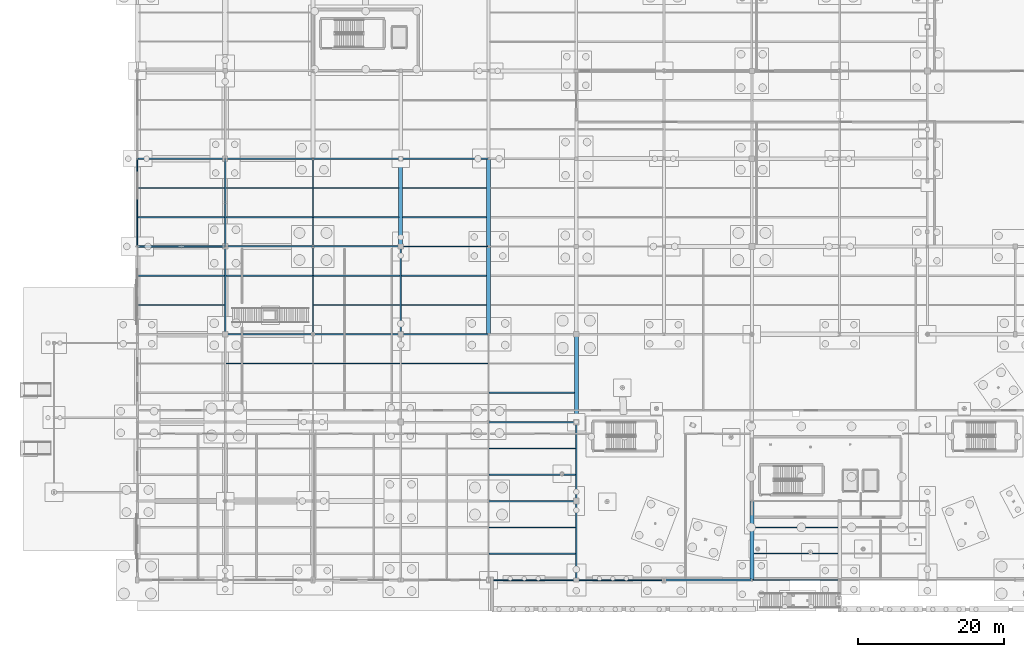
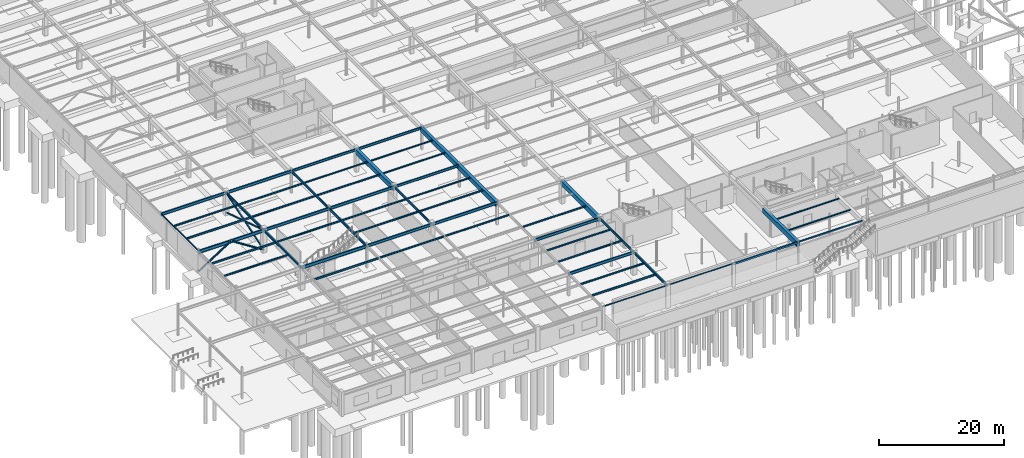
# One storey, part 79 of 136: 55 beams, 5 members.
"""IFC4 building model written with IfcOpenShell, lengths in metres."""

import ifcopenshell
import ifcopenshell.guid

model = None  # the IFC model being written
_history = None  # IfcOwnerHistory: only IFC2X3 demands one
_inside = {}  # id of a spatial element -> (the spatial element, [elements in it])
_under = {}  # id of a project, library or spatial element -> (it, [spatial elements below it])
_declared = {}  # id of a project -> (the project, [libraries it declares])
_typed = {}  # id of a type object -> (the type object, [elements of that type])
_made_of = {}  # id of a material, layer set ... -> (it, [elements and type objects made of it])


def new_model(schema):
    """Start an empty IFC model of exactly this schema.

    Asked for "IFC4X3", IfcOpenShell would pick the latest addendum, in which some entities
    have other attributes; the version numbers below select the first issue.
    IFC2X3 requires an IfcOwnerHistory on every rooted entity: one is made here for all.
    """
    global model, _history
    if schema == "IFC4X3":
        model = ifcopenshell.file(schema_version=(4, 3, 0, 0))
    else:
        model = ifcopenshell.file(schema=schema)
    _inside.clear()
    _under.clear()
    _declared.clear()
    _typed.clear()
    _made_of.clear()
    _history = None
    if model.schema == "IFC2X3":
        org = make("IfcOrganization", Name="unknown")
        user = make(
            "IfcPersonAndOrganization",
            ThePerson=make("IfcPerson", FamilyName="unknown"),
            TheOrganization=org,
        )
        app = make(
            "IfcApplication",
            ApplicationDeveloper=org,
            Version="unknown",
            ApplicationFullName="unknown",
            ApplicationIdentifier="unknown",
        )
        _history = make(
            "IfcOwnerHistory",
            OwningUser=user,
            OwningApplication=app,
            ChangeAction="ADDED",
            CreationDate=0,
        )
    return model


def make(cls, **values):
    """One entity of the class cls with the attributes given. An attribute that is None is left unset."""
    return model.create_entity(
        cls, **{name: value for name, value in values.items() if value is not None}
    )


def rooted(cls, **values):
    """An entity with a GlobalId (a new one), such as an element, a storey or a relation."""
    return make(cls, GlobalId=ifcopenshell.guid.new(), OwnerHistory=_history, **values)


def si_unit(unit_type, name, prefix=None):
    """IfcSIUnit, for example si_unit("LENGTHUNIT", "METRE", prefix="MILLI")."""
    return make("IfcSIUnit", UnitType=unit_type, Prefix=prefix, Name=name)


def assignment(units):
    """IfcUnitAssignment: the units of a project."""
    return None if units is None else make("IfcUnitAssignment", Units=units)


def point(xyz):
    """IfcCartesianPoint."""
    return None if xyz is None else make("IfcCartesianPoint", Coordinates=xyz)


def direction(xyz):
    """IfcDirection."""
    return None if xyz is None else make("IfcDirection", DirectionRatios=xyz)


def frame(location, z_axis=None, x_axis=None):
    """IfcAxis2Placement3D, a coordinate frame: its origin and axes. An axis left out is left unset."""
    return make(
        "IfcAxis2Placement3D",
        Location=point(location),
        Axis=direction(z_axis),
        RefDirection=direction(x_axis),
    )


def frame_2d(location, x_axis=None):
    """IfcAxis2Placement2D, a coordinate frame in the plane: its origin and x axis."""
    return make(
        "IfcAxis2Placement2D", Location=point(location), RefDirection=direction(x_axis)
    )


def origin():
    """The frame at (0, 0, 0) with its axes left unset."""
    return frame((0.0, 0.0, 0.0))


def origin_2d():
    """The frame at (0, 0) in the plane with its x axis left unset."""
    return frame_2d((0.0, 0.0))


def place(relative_to, where):
    """IfcLocalPlacement: puts the frame where relative to a parent placement (None: the world)."""
    return make(
        "IfcLocalPlacement", PlacementRelTo=relative_to, RelativePlacement=where
    )


def context(
    kind, dimensions, precision=None, world=None, true_north=None, identifier=None
):
    """IfcGeometricRepresentationContext, for example the 3D "Model" context."""
    return make(
        "IfcGeometricRepresentationContext",
        ContextIdentifier=identifier,
        ContextType=kind,
        CoordinateSpaceDimension=dimensions,
        Precision=precision,
        WorldCoordinateSystem=world,
        TrueNorth=true_north,
    )


def subcontext(parent, identifier, kind, view, scale=None):
    """IfcGeometricRepresentationSubContext, for example "Body" below "Model"."""
    return make(
        "IfcGeometricRepresentationSubContext",
        ContextIdentifier=identifier,
        ContextType=kind,
        ParentContext=parent,
        TargetScale=scale,
        TargetView=view,
    )


def project(units=None, contexts=None):
    """IfcProject with its units and contexts."""
    return rooted(
        "IfcProject",
        Name="project",
        RepresentationContexts=contexts,
        UnitsInContext=assignment(units),
    )


def spatial(cls, under=None, at=None, **own):
    """A site, building, storey or space (cls), placed at a placement, below another one or the project."""
    s = rooted(cls, ObjectPlacement=at, **own)
    if under is not None:
        _under.setdefault(under.id(), (under, []))[1].append(s)
    return s


def profile(cls, at=None, kind="AREA", **sizes):
    """A parametric profile (cls). Its sizes go by their IFC names, for example OverallWidth=200.0."""
    return make(cls, ProfileType=kind, Position=at, **sizes)


def rectangle(**sizes):
    """IfcRectangleProfileDef."""
    return profile("IfcRectangleProfileDef", **sizes)


def hollow_rectangle(**sizes):
    """IfcRectangleHollowProfileDef."""
    return profile("IfcRectangleHollowProfileDef", **sizes)


def hollow_circle(**sizes):
    """IfcCircleHollowProfileDef."""
    return profile("IfcCircleHollowProfileDef", **sizes)


def i_section(**sizes):
    """IfcIShapeProfileDef."""
    return profile("IfcIShapeProfileDef", **sizes)


def extrude(swept, where, along, depth):
    """IfcExtrudedAreaSolid: the profile swept, set in the frame where, extruded along a direction by depth."""
    return make(
        "IfcExtrudedAreaSolid",
        SweptArea=swept,
        Position=where,
        ExtrudedDirection=direction(along),
        Depth=depth,
    )


def shape(context_of_items, identifier, shape_type, items):
    """IfcShapeRepresentation: the items that make up one representation, for example the "Body"."""
    return make(
        "IfcShapeRepresentation",
        ContextOfItems=context_of_items,
        RepresentationIdentifier=identifier,
        RepresentationType=shape_type,
        Items=items,
    )


def material(Name=None, Category=None):
    """IfcMaterial."""
    return make("IfcMaterial", Name=Name, Category=Category)


def material_profile(
    of_material, cross_section, Name=None, Category=None, Priority=None
):
    """IfcMaterialProfile: a cross section and its material."""
    return make(
        "IfcMaterialProfile",
        Name=Name,
        Material=of_material,
        Profile=cross_section,
        Priority=Priority,
        Category=Category,
    )


def profile_set(profiles, Name=None, composite=None):
    """IfcMaterialProfileSet."""
    return make(
        "IfcMaterialProfileSet",
        Name=Name,
        MaterialProfiles=profiles,
        CompositeProfile=composite,
    )


def made_of(thing, what):
    """Note that an element or type object is made of a material, layer set ...; save() writes the relation."""
    if what is not None:
        _made_of.setdefault(what.id(), (what, []))[1].append(thing)
    return thing


def type_object(cls, material=None, **own):
    """A type object (cls), such as IfcWallType, which elements share."""
    return made_of(rooted(cls, **own), material)


def element(
    cls,
    number,
    at=None,
    inside=None,
    cuts=None,
    type_object=None,
    material=None,
    context=None,
    identifier="Body",
    shape_type=None,
    held_by="IfcProductDefinitionShape",
    body=None,
    shapes=None,
    **own,
):
    """One element of the class cls, such as IfcWall. Its Tag is "e" and its number.

    at: its placement. inside: the storey or other place that contains it. cuts: it is an
    opening in that element (IfcRelVoidsElement). A single representation is given by context,
    identifier, shape_type and body (its items); several are given by shapes. held_by: the class
    of the entity that holds the representations. save() writes the other relations.
    """
    e = rooted(cls, Tag="e%d" % number, ObjectPlacement=at, **own)
    if body is not None:
        shapes = [shape(context, identifier, shape_type, body)]
    if shapes is not None:
        e.Representation = make(held_by, Representations=shapes)
    if inside is not None:
        _inside.setdefault(inside.id(), (inside, []))[1].append(e)
    if cuts is not None:
        rooted(
            "IfcRelVoidsElement", RelatingBuildingElement=cuts, RelatedOpeningElement=e
        )
    if type_object is not None:
        _typed.setdefault(type_object.id(), (type_object, []))[1].append(e)
    return made_of(e, material)


def aggregate(whole, parts):
    """IfcRelAggregates: a whole, such as a stair, and the parts it consists of."""
    return rooted("IfcRelAggregates", RelatingObject=whole, RelatedObjects=parts)


def save(model, path):
    """Write the relations noted so far, then the file.

    IfcRelAggregates (storeys below a building ...), IfcRelContainedInSpatialStructure (elements
    in a storey), IfcRelDefinesByType, IfcRelAssociatesMaterial and IfcRelDeclares: one each for
    every whole, place, type object, material and project.
    """
    for whole, parts in _under.values():
        aggregate(whole, parts)
    for where, things in _inside.values():
        rooted(
            "IfcRelContainedInSpatialStructure",
            RelatedElements=things,
            RelatingStructure=where,
        )
    for kind, things in _typed.values():
        rooted("IfcRelDefinesByType", RelatedObjects=things, RelatingType=kind)
    for what, things in _made_of.values():
        rooted("IfcRelAssociatesMaterial", RelatedObjects=things, RelatingMaterial=what)
    for by, libraries in _declared.values():
        rooted("IfcRelDeclares", RelatingContext=by, RelatedDefinitions=libraries)
    model.write(path)


model = new_model("IFC4")

# Units and contexts
model_context = context("Model", 3, precision=1e-05, world=origin(), true_north=direction((0.0, 1.0)))
body_context = subcontext(model_context, "Body", "Model", "MODEL_VIEW")
ifc_project = project(units=[si_unit("LENGTHUNIT", "METRE"), si_unit("AREAUNIT", "SQUARE_METRE"), si_unit("VOLUMEUNIT", "CUBIC_METRE"), si_unit("PLANEANGLEUNIT", "RADIAN"), si_unit("MASSUNIT", "GRAM", prefix="KILO")], contexts=[model_context])

# Site, building, storey
site_placement = place(None, origin())
site = spatial("IfcSite", under=ifc_project, at=site_placement, CompositionType="ELEMENT")
building_placement = place(site_placement, origin())
building = spatial("IfcBuilding", under=site, at=building_placement, Name="Tarnwether General Hospital", CompositionType="ELEMENT")
storey_placement = place(building_placement, frame((0.0, 0.0, -4.800048828125)))
storey = spatial("IfcBuildingStorey", under=building, at=storey_placement, Name="LG", CompositionType="ELEMENT", Elevation=-4.800048828125)

# Beams
ifc_material_1 = material(Name="Steel Grade 350 (350 MPa)", Category="steel")
ifc_material_profile_1 = material_profile(ifc_material_1, i_section(OverallWidth=0.22802734375, OverallDepth=0.60205078125, WebThickness=0.010498046875, FlangeThickness=0.014892578125, at=origin_2d()), Name="610UB101")
ifc_profile_set_1 = profile_set([ifc_material_profile_1], Name="Steel Grade 350 (350 MPa)")
beam_type_1 = type_object("IfcBeamType", Name="BM-G05", PredefinedType="BEAM", material=ifc_profile_set_1)
for number, where, z_axis, x_axis, name in (
    (1, (0.0, 45.60009765625, 4.129150390625), (1.0, 0.0, 0.0), (0.0, 1.0, 0.0), "Primary Girder BMG-LG-0_4560-1200_4560-0017"),
    (2, (12.0, 33.60009765625, 4.129150390625), (1.0, 0.0, 0.0), (0.0, 1.0, 0.0), "Primary Girder BMG-LG-1200_3360-2400_3360-0038"),
):
    element("IfcBeam", number, at=place(storey_placement, frame(where, z_axis=z_axis, x_axis=x_axis)), inside=storey, type_object=beam_type_1, Name=name, PredefinedType="BEAM", context=body_context, shape_type="SweptSolid", body=[
        extrude(i_section(OverallWidth=0.22802734375, OverallDepth=0.60205078125, WebThickness=0.010498046875, FlangeThickness=0.014892578125, at=origin_2d()), origin(), (0.0, 0.0, 1.0), 12.0),
    ])
ifc_material_2 = material(Name="Steel Grade 350 (350 MPa)", Category="steel")
ifc_material_profile_2 = material_profile(ifc_material_2, i_section(OverallWidth=0.208984375, OverallDepth=0.532958984375, WebThickness=0.01025390625, FlangeThickness=0.015625, at=origin_2d()), Name="530UB92.4")
ifc_profile_set_2 = profile_set([ifc_material_profile_2], Name="Steel Grade 350 (350 MPa)")
beam_type_2 = type_object("IfcBeamType", Name="BM-G06", PredefinedType="BEAM", material=ifc_profile_set_2)
for number, where, z_axis, x_axis, name in (
    (3, (0.0, 57.60009765625, 4.16357421875), (1.0, 0.0, 0.0), (0.0, 1.0, 0.0), "Primary Girder BMG-LG-0_5760-1200_5760-0019"),
    (4, (12.0, 45.60009765625, 4.16357421875), (1.0, 0.0, 0.0), (0.0, 1.0, 0.0), "Primary Girder BMG-LG-1200_4560-2400_4560-0040"),
    (5, (24.0, 33.60009765625, 4.16357421875), (1.0, 0.0, 0.0), (0.0, 1.0, 0.0), "Primary Girder BMG-LG-2400_3360-3600_3360-0061"),
    (6, (48.0, 10.800048828125, 4.16357421875), (1.0, 0.0, 0.0), (0.0, 1.0, 0.0), "Primary Girder BMG-LG-4800_1080-6000_1080-0101"),
):
    element("IfcBeam", number, at=place(storey_placement, frame(where, z_axis=z_axis, x_axis=x_axis)), inside=storey, type_object=beam_type_2, Name=name, PredefinedType="BEAM", context=body_context, shape_type="SweptSolid", body=[
        extrude(i_section(OverallWidth=0.208984375, OverallDepth=0.532958984375, WebThickness=0.01025390625, FlangeThickness=0.015625, at=origin_2d()), origin(), (0.0, 0.0, 1.0), 12.0),
    ])
ifc_material_3 = material(Name="Steel Grade 350 (350 MPa)", Category="steel")
ifc_material_profile_3 = material_profile(ifc_material_3, i_section(OverallWidth=0.208984375, OverallDepth=0.528076171875, WebThickness=0.009521484375, FlangeThickness=0.01318359375, at=origin_2d()), Name="530UB82.0")
ifc_profile_set_3 = profile_set([ifc_material_profile_3], Name="Steel Grade 350 (350 MPa)")
beam_type_3 = type_object("IfcBeamType", Name="BM-G07", PredefinedType="BEAM", material=ifc_profile_set_3)
for number, where, z_axis, x_axis, name in (
    (7, (12.0, 57.60009765625, 4.166015625), (1.0, 0.0, 0.0), (0.0, 1.0, 0.0), "Primary Girder BMG-LG-1200_5760-2400_5760-0042"),
    (8, (24.0, 45.60009765625, 4.166015625), (1.0, 0.0, 0.0), (0.0, 1.0, 0.0), "Primary Girder BMG-LG-2400_4560-3600_4560-0063"),
    (9, (36.0, 33.60009765625, 4.166015625), (1.0, 0.0, 0.0), (0.0, 1.0, 0.0), "Primary Girder BMG-LG-3600_3360-4800_3360-0084"),
    (10, (48.0, 21.60009765625, 4.166015625), (1.0, 0.0, 0.0), (0.0, 1.0, 0.0), "Primary Girder BMG-LG-4800_2160-6000_2160-0103"),
):
    element("IfcBeam", number, at=place(storey_placement, frame(where, z_axis=z_axis, x_axis=x_axis)), inside=storey, type_object=beam_type_3, Name=name, PredefinedType="BEAM", context=body_context, shape_type="SweptSolid", body=[
        extrude(i_section(OverallWidth=0.208984375, OverallDepth=0.528076171875, WebThickness=0.009521484375, FlangeThickness=0.01318359375, at=origin_2d()), origin(), (0.0, 0.0, 1.0), 12.0),
    ])
ifc_material_4 = material(Name="Steel Grade 350 (350 MPa)", Category="steel")
ifc_material_profile_4 = material_profile(ifc_material_4, i_section(OverallWidth=0.19091796875, OverallDepth=0.4599609375, WebThickness=0.010009765625, FlangeThickness=0.01611328125, at=origin_2d()), Name="460UB82.1")
ifc_profile_set_4 = profile_set([ifc_material_profile_4], Name="Steel Grade 350 (350 MPa)")
beam_type_4 = type_object("IfcBeamType", Name="BM-G08", PredefinedType="BEAM", material=ifc_profile_set_4)
for number, where, z_axis, x_axis, name in (
    (11, (12.0, 33.60009765625, 4.199951171875), (0.0, 1.0, 0.0), (-1.0, 0.0, 0.0), "Primary Girder BMG-LG-1200_3360-1200_4560-0039"),
    (12, (24.0, 57.60009765625, 4.199951171875), (1.0, 0.0, 0.0), (0.0, 1.0, 0.0), "Primary Girder BMG-LG-2400_5760-3600_5760-0065"),
    (13, (36.0, 45.60009765625, 4.199951171875), (1.0, 0.0, 0.0), (0.0, 1.0, 0.0), "Primary Girder BMG-LG-3600_4560-4800_4560-0086"),
):
    element("IfcBeam", number, at=place(storey_placement, frame(where, z_axis=z_axis, x_axis=x_axis)), inside=storey, type_object=beam_type_4, Name=name, PredefinedType="BEAM", context=body_context, shape_type="SweptSolid", body=[
        extrude(i_section(OverallWidth=0.19091796875, OverallDepth=0.4599609375, WebThickness=0.010009765625, FlangeThickness=0.01611328125, at=origin_2d()), origin(), (0.0, 0.0, 1.0), 12.0),
    ])
ifc_material_5 = material(Name="Steel Grade 350 (350 MPa)", Category="steel")
ifc_material_profile_5 = material_profile(ifc_material_5, i_section(OverallWidth=0.18994140625, OverallDepth=0.45703125, WebThickness=0.009033203125, FlangeThickness=0.014404296875, at=origin_2d()), Name="460UB74.6")
ifc_profile_set_5 = profile_set([ifc_material_profile_5], Name="Steel Grade 350 (350 MPa)")
beam_type_5 = type_object("IfcBeamType", Name="BM-G09", PredefinedType="BEAM", material=ifc_profile_set_5)
for number, where, z_axis, x_axis, name in (
    (14, (12.0, 45.60009765625, 4.20166015625), (0.0, 1.0, 0.0), (-1.0, 0.0, 0.0), "Primary Girder BMG-LG-1200_4560-1200_5760-0041"),
    (15, (24.0, 33.60009765625, 4.20166015625), (0.0, 1.0, 0.0), (-1.0, 0.0, 0.0), "Primary Girder BMG-LG-2400_3360-2400_4560-0062"),
    (16, (36.0, 57.60009765625, 4.20166015625), (1.0, 0.0, 0.0), (0.0, 1.0, 0.0), "Primary Girder BMG-LG-3600_5760-4800_5760-0088"),
):
    element("IfcBeam", number, at=place(storey_placement, frame(where, z_axis=z_axis, x_axis=x_axis)), inside=storey, type_object=beam_type_5, Name=name, PredefinedType="BEAM", context=body_context, shape_type="SweptSolid", body=[
        extrude(i_section(OverallWidth=0.18994140625, OverallDepth=0.45703125, WebThickness=0.009033203125, FlangeThickness=0.014404296875, at=origin_2d()), origin(), (0.0, 0.0, 1.0), 12.0),
    ])
beam_1_placement = place(storey_placement, frame((60.0, 0.0, 4.20166015625), z_axis=(0.0, 1.0, 0.0), x_axis=(-1.0, 0.0, 0.0)))
element("IfcBeam", 17, at=beam_1_placement, inside=storey, type_object=beam_type_5, Name="Primary Girder BMG-LG-6000_0-6000_1080-0123", PredefinedType="BEAM", context=body_context, shape_type="SweptSolid", body=[
    extrude(i_section(OverallWidth=0.18994140625, OverallDepth=0.45703125, WebThickness=0.009033203125, FlangeThickness=0.014404296875, at=origin_2d()), origin(), (0.0, 0.0, 1.0), 10.800048828125),
])
ifc_material_6 = material(Name="Steel Grade 350 (350 MPa)", Category="steel")
ifc_material_profile_6 = material_profile(ifc_material_6, i_section(OverallWidth=0.18994140625, OverallDepth=0.4541015625, WebThickness=0.008544921875, FlangeThickness=0.0126953125, at=origin_2d()), Name="460UB67.1")
ifc_profile_set_6 = profile_set([ifc_material_profile_6], Name="Steel Grade 350 (350 MPa)")
beam_type_6 = type_object("IfcBeamType", Name="BM-G10", PredefinedType="BEAM", material=ifc_profile_set_6)
for number, where, z_axis, x_axis, name in (
    (18, (24.0, 45.60009765625, 4.203125), (0.0, 1.0, 0.0), (-1.0, 0.0, 0.0), "Primary Girder BMG-LG-2400_4560-2400_5760-0064"),
    (19, (36.0, 33.60009765625, 4.203125), (0.0, 1.0, 0.0), (-1.0, 0.0, 0.0), "Primary Girder BMG-LG-3600_3360-3600_4560-0085"),
):
    element("IfcBeam", number, at=place(storey_placement, frame(where, z_axis=z_axis, x_axis=x_axis)), inside=storey, type_object=beam_type_6, Name=name, PredefinedType="BEAM", context=body_context, shape_type="SweptSolid", body=[
        extrude(i_section(OverallWidth=0.18994140625, OverallDepth=0.4541015625, WebThickness=0.008544921875, FlangeThickness=0.0126953125, at=origin_2d()), origin(), (0.0, 0.0, 1.0), 12.0),
    ])
beam_2_placement = place(storey_placement, frame((60.0, 10.800048828125, 4.203125), z_axis=(0.0, 1.0, 0.0), x_axis=(-1.0, 0.0, 0.0)))
element("IfcBeam", 20, at=beam_2_placement, inside=storey, type_object=beam_type_6, Name="Primary Girder BMG-LG-6000_1080-6000_2160-0124", PredefinedType="BEAM", context=body_context, shape_type="SweptSolid", body=[
    extrude(i_section(OverallWidth=0.18994140625, OverallDepth=0.4541015625, WebThickness=0.008544921875, FlangeThickness=0.0126953125, at=origin_2d()), origin(), (0.0, 0.0, 1.0), 10.800048828125),
])
ifc_material_7 = material(Name="Concrete 40 MPa", Category="concrete")
ifc_material_profile_7 = material_profile(ifc_material_7, rectangle(XDim=0.550048828125, YDim=0.949951171875, at=origin_2d()), Name="RC-BM-550x950")
ifc_profile_set_7 = profile_set([ifc_material_profile_7], Name="Concrete 40 MPa")
beam_type_7 = type_object("IfcBeamType", Name="BM-G11", PredefinedType="BEAM", material=ifc_profile_set_7)
for number, where, z_axis, x_axis, name in (
    (21, (36.0, 45.60009765625, 3.955078125), (0.0, 1.0, 0.0), (-1.0, 0.0, 0.0), "Primary Girder BMG-LG-3600_4560-3600_5760-0087"),
    (22, (48.0, 33.60009765625, 3.955078125), (0.0, 1.0, 0.0), (-1.0, 0.0, 0.0), "Primary Girder BMG-LG-4800_3360-4800_4560-0106"),
    (23, (60.0, 21.60009765625, 3.955078125), (0.0, 1.0, 0.0), (-1.0, 0.0, 0.0), "Primary Girder BMG-LG-6000_2160-6000_3360-0125"),
):
    element("IfcBeam", number, at=place(storey_placement, frame(where, z_axis=z_axis, x_axis=x_axis)), inside=storey, type_object=beam_type_7, Name=name, PredefinedType="BEAM", context=body_context, shape_type="SweptSolid", body=[
        extrude(rectangle(XDim=0.550048828125, YDim=0.949951171875, at=origin_2d()), origin(), (0.0, 0.0, 1.0), 12.0),
    ])
beam_3_placement = place(storey_placement, frame((84.0, 0.0, 3.955078125), z_axis=(0.0, 1.0, 0.0), x_axis=(-1.0, 0.0, 0.0)))
element("IfcBeam", 24, at=beam_3_placement, inside=storey, type_object=beam_type_7, Name="Primary Girder BMG-LG-8400_0-8400_1080-0155", PredefinedType="BEAM", context=body_context, shape_type="SweptSolid", body=[
    extrude(rectangle(XDim=0.550048828125, YDim=0.949951171875, at=origin_2d()), origin(), (0.0, 0.0, 1.0), 10.800048828125),
])
ifc_material_8 = material(Name="Concrete 40 MPa", Category="concrete")
ifc_material_profile_8 = material_profile(ifc_material_8, rectangle(XDim=0.5, YDim=0.89990234375, at=origin_2d()), Name="RC-BM-500x900")
ifc_profile_set_8 = profile_set([ifc_material_profile_8], Name="Concrete 40 MPa")
beam_type_8 = type_object("IfcBeamType", Name="BM-G12", PredefinedType="BEAM", material=ifc_profile_set_8)
beam_4_placement = place(storey_placement, frame((48.0, 45.60009765625, 3.97998046875), z_axis=(0.0, 1.0, 0.0), x_axis=(-1.0, 0.0, 0.0)))
element("IfcBeam", 25, at=beam_4_placement, inside=storey, type_object=beam_type_8, Name="Primary Girder BMG-LG-4800_4560-4800_5760-0108", PredefinedType="BEAM", context=body_context, shape_type="SweptSolid", body=[
    extrude(rectangle(XDim=0.5, YDim=0.89990234375, at=origin_2d()), origin(), (0.0, 0.0, 1.0), 12.0),
])
ifc_material_9 = material(Name="Steel Grade 350 (350 MPa)", Category="steel")
ifc_material_profile_9 = material_profile(ifc_material_9, i_section(OverallWidth=0.166015625, OverallDepth=0.306884765625, WebThickness=0.006591796875, FlangeThickness=0.01171875, at=origin_2d()), Name="310UB46.2")
ifc_profile_set_9 = profile_set([ifc_material_profile_9], Name="Steel Grade 350 (350 MPa)")
beam_type_9 = type_object("IfcBeamType", Name="BM-J05", PredefinedType="JOIST", material=ifc_profile_set_9)
beam_5_placement = place(storey_placement, frame((0.080078125, 37.60009765625, 4.276611328125), z_axis=(1.0, 0.0, 0.0), x_axis=(0.0, 1.0, 0.0)))
element("IfcBeam", 26, at=beam_5_placement, inside=storey, type_object=beam_type_9, Name="Composite Floor Joist BMG-LG-8_3760-1191_3760-0340", PredefinedType="JOIST", context=body_context, shape_type="SweptSolid", body=[
    extrude(i_section(OverallWidth=0.166015625, OverallDepth=0.306884765625, WebThickness=0.006591796875, FlangeThickness=0.01171875, at=origin_2d()), origin(), (0.0, 0.0, 1.0), 11.830810546875),
])
ifc_material_10 = material(Name="Steel Grade 350 (350 MPa)", Category="steel")
ifc_material_profile_10 = material_profile(ifc_material_10, i_section(OverallWidth=0.1708984375, OverallDepth=0.35205078125, WebThickness=0.0068359375, FlangeThickness=0.009765625, at=origin_2d()), Name="360UB44.7")
ifc_profile_set_10 = profile_set([ifc_material_profile_10], Name="Steel Grade 350 (350 MPa)")
beam_type_10 = type_object("IfcBeamType", Name="BM-J06", PredefinedType="JOIST", material=ifc_profile_set_10)
for number, where, z_axis, x_axis, name in (
    (27, (0.080078125, 41.60009765625, 4.254150390625), (1.0, 0.0, 0.0), (0.0, 1.0, 0.0), "Composite Floor Joist BMG-LG-8_4160-1191_4160-0341"),
    (28, (0.080078125, 49.60009765625, 4.254150390625), (1.0, 0.0, 0.0), (0.0, 1.0, 0.0), "Composite Floor Joist BMG-LG-8_4960-1191_4960-0342"),
):
    element("IfcBeam", number, at=place(storey_placement, frame(where, z_axis=z_axis, x_axis=x_axis)), inside=storey, type_object=beam_type_10, Name=name, PredefinedType="JOIST", context=body_context, shape_type="SweptSolid", body=[
        extrude(i_section(OverallWidth=0.1708984375, OverallDepth=0.35205078125, WebThickness=0.0068359375, FlangeThickness=0.009765625, at=origin_2d()), origin(), (0.0, 0.0, 1.0), 11.830810546875),
    ])
beam_6_placement = place(storey_placement, frame((12.097900390625, 29.60009765625, 4.254150390625), z_axis=(1.0, 0.0, 0.0), x_axis=(0.0, 1.0, 0.0)))
element("IfcBeam", 29, at=beam_6_placement, inside=storey, type_object=beam_type_10, Name="Composite Floor Joist BMG-LG-1210_2960-2391_2960-0361", PredefinedType="JOIST", context=body_context, shape_type="SweptSolid", body=[
    extrude(i_section(OverallWidth=0.1708984375, OverallDepth=0.35205078125, WebThickness=0.0068359375, FlangeThickness=0.009765625, at=origin_2d()), origin(), (0.0, 0.0, 1.0), 11.81201171875),
])
beam_7_placement = place(storey_placement, frame((48.090087890625, 3.60009765625, 4.254150390625), z_axis=(1.0, 0.0, 0.0), x_axis=(0.0, 1.0, 0.0)))
element("IfcBeam", 30, at=beam_7_placement, inside=storey, type_object=beam_type_10, Name="Composite Floor Joist BMG-LG-4809_360-5991_360-0413", PredefinedType="JOIST", context=body_context, shape_type="SweptSolid", body=[
    extrude(i_section(OverallWidth=0.1708984375, OverallDepth=0.35205078125, WebThickness=0.0068359375, FlangeThickness=0.009765625, at=origin_2d()), origin(), (0.0, 0.0, 1.0), 11.82080078125),
])
ifc_material_11 = material(Name="Steel Grade 350 (350 MPa)", Category="steel")
ifc_material_profile_11 = material_profile(ifc_material_11, i_section(OverallWidth=0.1650390625, OverallDepth=0.303955078125, WebThickness=0.006103515625, FlangeThickness=0.01025390625, at=origin_2d()), Name="310UB40.4")
ifc_profile_set_11 = profile_set([ifc_material_profile_11], Name="Steel Grade 350 (350 MPa)")
beam_type_11 = type_object("IfcBeamType", Name="BM-J07", PredefinedType="JOIST", material=ifc_profile_set_11)
beam_8_placement = place(storey_placement, frame((0.080078125, 53.60009765625, 4.278076171875), z_axis=(1.0, 0.0, 0.0), x_axis=(0.0, 1.0, 0.0)))
element("IfcBeam", 31, at=beam_8_placement, inside=storey, type_object=beam_type_11, Name="Composite Floor Joist BMG-LG-8_5360-1191_5360-0343", PredefinedType="JOIST", context=body_context, shape_type="SweptSolid", body=[
    extrude(i_section(OverallWidth=0.1650390625, OverallDepth=0.303955078125, WebThickness=0.006103515625, FlangeThickness=0.01025390625, at=origin_2d()), origin(), (0.0, 0.0, 1.0), 11.830810546875),
])
for number, where, z_axis, x_axis, name in (
    (32, (12.089111328125, 41.60009765625, 4.278076171875), (1.0, 0.0, 0.0), (0.0, 1.0, 0.0), "Composite Floor Joist BMG-LG-1209_4160-2391_4160-0362"),
    (33, (12.089111328125, 49.60009765625, 4.278076171875), (1.0, 0.0, 0.0), (0.0, 1.0, 0.0), "Composite Floor Joist BMG-LG-1209_4960-2391_4960-0363"),
):
    element("IfcBeam", number, at=place(storey_placement, frame(where, z_axis=z_axis, x_axis=x_axis)), inside=storey, type_object=beam_type_11, Name=name, PredefinedType="JOIST", context=body_context, shape_type="SweptSolid", body=[
        extrude(i_section(OverallWidth=0.1650390625, OverallDepth=0.303955078125, WebThickness=0.006103515625, FlangeThickness=0.01025390625, at=origin_2d()), origin(), (0.0, 0.0, 1.0), 11.82177734375),
    ])
beam_9_placement = place(storey_placement, frame((24.090087890625, 29.60009765625, 4.278076171875), z_axis=(1.0, 0.0, 0.0), x_axis=(0.0, 1.0, 0.0)))
element("IfcBeam", 34, at=beam_9_placement, inside=storey, type_object=beam_type_11, Name="Composite Floor Joist BMG-LG-2409_2960-3591_2960-0382", PredefinedType="JOIST", context=body_context, shape_type="SweptSolid", body=[
    extrude(i_section(OverallWidth=0.1650390625, OverallDepth=0.303955078125, WebThickness=0.006103515625, FlangeThickness=0.01025390625, at=origin_2d()), origin(), (0.0, 0.0, 1.0), 11.82080078125),
])
beam_10_placement = place(storey_placement, frame((24.089111328125, 37.60009765625, 4.278076171875), z_axis=(1.0, 0.0, 0.0), x_axis=(0.0, 1.0, 0.0)))
element("IfcBeam", 35, at=beam_10_placement, inside=storey, type_object=beam_type_11, Name="Composite Floor Joist BMG-LG-2409_3760-3591_3760-0383", PredefinedType="JOIST", context=body_context, shape_type="SweptSolid", body=[
    extrude(i_section(OverallWidth=0.1650390625, OverallDepth=0.303955078125, WebThickness=0.006103515625, FlangeThickness=0.01025390625, at=origin_2d()), origin(), (0.0, 0.0, 1.0), 11.82177734375),
])
beam_11_placement = place(storey_placement, frame((48.090087890625, 7.199951171875, 4.278076171875), z_axis=(1.0, 0.0, 0.0), x_axis=(0.0, 1.0, 0.0)))
element("IfcBeam", 36, at=beam_11_placement, inside=storey, type_object=beam_type_11, Name="Composite Floor Joist BMG-LG-4809_720-5991_720-0414", PredefinedType="JOIST", context=body_context, shape_type="SweptSolid", body=[
    extrude(i_section(OverallWidth=0.1650390625, OverallDepth=0.303955078125, WebThickness=0.006103515625, FlangeThickness=0.01025390625, at=origin_2d()), origin(), (0.0, 0.0, 1.0), 11.82080078125),
])
beam_12_placement = place(storey_placement, frame((48.089111328125, 14.39990234375, 4.278076171875), z_axis=(1.0, 0.0, 0.0), x_axis=(0.0, 1.0, 0.0)))
element("IfcBeam", 37, at=beam_12_placement, inside=storey, type_object=beam_type_11, Name="Composite Floor Joist BMG-LG-4809_1440-5991_1440-0415", PredefinedType="JOIST", context=body_context, shape_type="SweptSolid", body=[
    extrude(i_section(OverallWidth=0.1650390625, OverallDepth=0.303955078125, WebThickness=0.006103515625, FlangeThickness=0.01025390625, at=origin_2d()), origin(), (0.0, 0.0, 1.0), 11.82177734375),
])
ifc_material_12 = material(Name="Steel Grade 350 (350 MPa)", Category="steel")
ifc_material_profile_12 = material_profile(ifc_material_12, i_section(OverallWidth=0.14892578125, OverallDepth=0.298095703125, WebThickness=0.005615234375, FlangeThickness=0.008056640625, at=origin_2d()), Name="310UB32.0")
ifc_profile_set_12 = profile_set([ifc_material_profile_12], Name="Steel Grade 350 (350 MPa)")
beam_type_12 = type_object("IfcBeamType", Name="BM-J08", PredefinedType="JOIST", material=ifc_profile_set_12)
for number, where, z_axis, x_axis, name in (
    (38, (12.089111328125, 53.60009765625, 4.281005859375), (1.0, 0.0, 0.0), (0.0, 1.0, 0.0), "Composite Floor Joist BMG-LG-1209_5360-2391_5360-0364"),
    (39, (24.089111328125, 41.60009765625, 4.281005859375), (1.0, 0.0, 0.0), (0.0, 1.0, 0.0), "Composite Floor Joist BMG-LG-2409_4160-3591_4160-0384"),
):
    element("IfcBeam", number, at=place(storey_placement, frame(where, z_axis=z_axis, x_axis=x_axis)), inside=storey, type_object=beam_type_12, Name=name, PredefinedType="JOIST", context=body_context, shape_type="SweptSolid", body=[
        extrude(i_section(OverallWidth=0.14892578125, OverallDepth=0.298095703125, WebThickness=0.005615234375, FlangeThickness=0.008056640625, at=origin_2d()), origin(), (0.0, 0.0, 1.0), 11.82177734375),
    ])
beam_13_placement = place(storey_placement, frame((24.089111328125, 49.60009765625, 4.281005859375), z_axis=(1.0, 0.0, 0.0), x_axis=(0.0, 1.0, 0.0)))
element("IfcBeam", 40, at=beam_13_placement, inside=storey, type_object=beam_type_12, Name="Composite Floor Joist BMG-LG-2409_4960-3573_4960-0385", PredefinedType="JOIST", context=body_context, shape_type="SweptSolid", body=[
    extrude(i_section(OverallWidth=0.14892578125, OverallDepth=0.298095703125, WebThickness=0.005615234375, FlangeThickness=0.008056640625, at=origin_2d()), origin(), (0.0, 0.0, 1.0), 11.641845703125),
])
beam_14_placement = place(storey_placement, frame((36.089111328125, 29.60009765625, 4.281005859375), z_axis=(1.0, 0.0, 0.0), x_axis=(0.0, 1.0, 0.0)))
element("IfcBeam", 41, at=beam_14_placement, inside=storey, type_object=beam_type_12, Name="Composite Floor Joist BMG-LG-3609_2960-4791_2960-0400", PredefinedType="JOIST", context=body_context, shape_type="SweptSolid", body=[
    extrude(i_section(OverallWidth=0.14892578125, OverallDepth=0.298095703125, WebThickness=0.005615234375, FlangeThickness=0.008056640625, at=origin_2d()), origin(), (0.0, 0.0, 1.0), 11.82177734375),
])
beam_15_placement = place(storey_placement, frame((36.089111328125, 37.60009765625, 4.281005859375), z_axis=(1.0, 0.0, 0.0), x_axis=(0.0, 1.0, 0.0)))
element("IfcBeam", 42, at=beam_15_placement, inside=storey, type_object=beam_type_12, Name="Composite Floor Joist BMG-LG-3609_3760-4773_3760-0401", PredefinedType="JOIST", context=body_context, shape_type="SweptSolid", body=[
    extrude(i_section(OverallWidth=0.14892578125, OverallDepth=0.298095703125, WebThickness=0.005615234375, FlangeThickness=0.008056640625, at=origin_2d()), origin(), (0.0, 0.0, 1.0), 11.641845703125),
])
beam_16_placement = place(storey_placement, frame((48.089111328125, 18.0, 4.281005859375), z_axis=(1.0, 0.0, 0.0), x_axis=(0.0, 1.0, 0.0)))
element("IfcBeam", 43, at=beam_16_placement, inside=storey, type_object=beam_type_12, Name="Composite Floor Joist BMG-LG-4809_1800-5991_1800-0416", PredefinedType="JOIST", context=body_context, shape_type="SweptSolid", body=[
    extrude(i_section(OverallWidth=0.14892578125, OverallDepth=0.298095703125, WebThickness=0.005615234375, FlangeThickness=0.008056640625, at=origin_2d()), origin(), (0.0, 0.0, 1.0), 11.82177734375),
])
beam_17_placement = place(storey_placement, frame((48.089111328125, 25.60009765625, 4.281005859375), z_axis=(1.0, 0.0, 0.0), x_axis=(0.0, 1.0, 0.0)))
element("IfcBeam", 44, at=beam_17_placement, inside=storey, type_object=beam_type_12, Name="Composite Floor Joist BMG-LG-4809_2560-5973_2560-0417", PredefinedType="JOIST", context=body_context, shape_type="SweptSolid", body=[
    extrude(i_section(OverallWidth=0.14892578125, OverallDepth=0.298095703125, WebThickness=0.005615234375, FlangeThickness=0.008056640625, at=origin_2d()), origin(), (0.0, 0.0, 1.0), 11.641845703125),
])
ifc_material_13 = material(Name="Steel Grade 350 (350 MPa)", Category="steel")
ifc_material_profile_13 = material_profile(ifc_material_13, i_section(OverallWidth=0.14599609375, OverallDepth=0.256103515625, WebThickness=0.00634765625, FlangeThickness=0.010986328125, at=origin_2d()), Name="250UB37.3")
ifc_profile_set_13 = profile_set([ifc_material_profile_13], Name="Steel Grade 350 (350 MPa)")
beam_type_13 = type_object("IfcBeamType", Name="BM-J09", PredefinedType="JOIST", material=ifc_profile_set_13)
for number, where, z_axis, x_axis, name in (
    (45, (24.089111328125, 53.60009765625, 4.302001953125), (1.0, 0.0, 0.0), (0.0, 1.0, 0.0), "Composite Floor Joist BMG-LG-2409_5360-3573_5360-0386"),
    (46, (36.089111328125, 41.60009765625, 4.302001953125), (1.0, 0.0, 0.0), (0.0, 1.0, 0.0), "Composite Floor Joist BMG-LG-3609_4160-4773_4160-0402"),
):
    element("IfcBeam", number, at=place(storey_placement, frame(where, z_axis=z_axis, x_axis=x_axis)), inside=storey, type_object=beam_type_13, Name=name, PredefinedType="JOIST", context=body_context, shape_type="SweptSolid", body=[
        extrude(i_section(OverallWidth=0.14599609375, OverallDepth=0.256103515625, WebThickness=0.00634765625, FlangeThickness=0.010986328125, at=origin_2d()), origin(), (0.0, 0.0, 1.0), 11.641845703125),
    ])
for number, where, z_axis, x_axis, name in (
    (47, (36.26904296875, 49.60009765625, 4.302001953125), (1.0, 0.0, 0.0), (0.0, 1.0, 0.0), "Composite Floor Joist BMG-LG-3627_4960-4776_4960-0403"),
    (48, (84.26904296875, 3.60009765625, 4.302001953125), (1.0, 0.0, 0.0), (0.0, 1.0, 0.0), "Composite Floor Joist BMG-LG-8427_360-9576_360-0455"),
):
    element("IfcBeam", number, at=place(storey_placement, frame(where, z_axis=z_axis, x_axis=x_axis)), inside=storey, type_object=beam_type_13, Name=name, PredefinedType="JOIST", context=body_context, shape_type="SweptSolid", body=[
        extrude(i_section(OverallWidth=0.14599609375, OverallDepth=0.256103515625, WebThickness=0.00634765625, FlangeThickness=0.010986328125, at=origin_2d()), origin(), (0.0, 0.0, 1.0), 11.487060546875),
    ])
ifc_material_14 = material(Name="Steel Grade 350 (350 MPa)", Category="steel")
ifc_material_profile_14 = material_profile(ifc_material_14, i_section(OverallWidth=0.14599609375, OverallDepth=0.251953125, WebThickness=0.006103515625, FlangeThickness=0.008544921875, at=origin_2d()), Name="250UB31.4")
ifc_profile_set_14 = profile_set([ifc_material_profile_14], Name="Steel Grade 350 (350 MPa)")
beam_type_14 = type_object("IfcBeamType", Name="BM-J10", PredefinedType="JOIST", material=ifc_profile_set_14)
for number, where, z_axis, x_axis, name in (
    (49, (36.26904296875, 53.60009765625, 4.303955078125), (1.0, 0.0, 0.0), (0.0, 1.0, 0.0), "Composite Floor Joist BMG-LG-3627_5360-4776_5360-0404"),
    (50, (84.26904296875, 7.199951171875, 4.303955078125), (1.0, 0.0, 0.0), (0.0, 1.0, 0.0), "Composite Floor Joist BMG-LG-8427_720-9576_720-0456"),
):
    element("IfcBeam", number, at=place(storey_placement, frame(where, z_axis=z_axis, x_axis=x_axis)), inside=storey, type_object=beam_type_14, Name=name, PredefinedType="JOIST", context=body_context, shape_type="SweptSolid", body=[
        extrude(i_section(OverallWidth=0.14599609375, OverallDepth=0.251953125, WebThickness=0.006103515625, FlangeThickness=0.008544921875, at=origin_2d()), origin(), (0.0, 0.0, 1.0), 11.487060546875),
    ])
ifc_material_15 = material(Name="Steel Grade 350 (350 MPa)", Category="steel")
ifc_material_profile_15 = material_profile(ifc_material_15, i_section(OverallWidth=0.133056640625, OverallDepth=0.202880859375, WebThickness=0.005859375, FlangeThickness=0.0078125, at=origin_2d()), Name="200UB25.4")
ifc_profile_set_15 = profile_set([ifc_material_profile_15], Name="Steel Grade 350 (350 MPa)")
beam_type_15 = type_object("IfcBeamType", Name="BM-SP5", PredefinedType="SPANDREL", material=ifc_profile_set_15)
for number, where, z_axis, x_axis, name in (
    (51, (0.0, 45.60009765625, 4.32861328125), (0.0, 1.0, 0.0), (-1.0, 0.0, 0.0), "Primary Girder BMG-LG-0_4560-0_5760-0018"),
    (52, (48.0, 0.0, 4.32861328125), (1.0, 0.0, 0.0), (0.0, 1.0, 0.0), "Primary Girder BMG-LG-4800_0-6000_0-0099"),
):
    element("IfcBeam", number, at=place(storey_placement, frame(where, z_axis=z_axis, x_axis=x_axis)), inside=storey, type_object=beam_type_15, Name=name, PredefinedType="SPANDREL", context=body_context, shape_type="SweptSolid", body=[
        extrude(i_section(OverallWidth=0.133056640625, OverallDepth=0.202880859375, WebThickness=0.005859375, FlangeThickness=0.0078125, at=origin_2d()), origin(), (0.0, 0.0, 1.0), 12.0),
    ])
ifc_material_16 = material(Name="Steel Grade 350 (350 MPa)", Category="steel")
ifc_material_profile_16 = material_profile(ifc_material_16, i_section(OverallWidth=0.133056640625, OverallDepth=0.201904296875, WebThickness=0.0048828125, FlangeThickness=0.007080078125, at=origin_2d()), Name="200UB22.3")
ifc_profile_set_16 = profile_set([ifc_material_profile_16], Name="Steel Grade 350 (350 MPa)")
beam_type_16 = type_object("IfcBeamType", Name="BM-SP6", PredefinedType="SPANDREL", material=ifc_profile_set_16)
beam_18_placement = place(storey_placement, frame((60.0, 0.0, 4.3291015625), z_axis=(1.0, 0.0, 0.0), x_axis=(0.0, 1.0, 0.0)))
element("IfcBeam", 53, at=beam_18_placement, inside=storey, type_object=beam_type_16, Name="Primary Girder BMG-LG-6000_0-7200_0-0122", PredefinedType="SPANDREL", context=body_context, shape_type="SweptSolid", body=[
    extrude(i_section(OverallWidth=0.133056640625, OverallDepth=0.201904296875, WebThickness=0.0048828125, FlangeThickness=0.007080078125, at=origin_2d()), origin(), (0.0, 0.0, 1.0), 12.0),
])
ifc_material_17 = material(Name="Steel Grade C350L0 (350 MPa)", Category="steel")
ifc_material_profile_17 = material_profile(ifc_material_17, hollow_rectangle(XDim=0.25, YDim=0.35009765625, WallThickness=0.012451171875, at=origin_2d()), Name="RHS350x250x12.5")
ifc_profile_set_17 = profile_set([ifc_material_profile_17], Name="Steel Grade C350L0 (350 MPa)")
beam_type_17 = type_object("IfcBeamType", Name="BM-SP7", PredefinedType="SPANDREL", material=ifc_profile_set_17)
beam_19_placement = place(storey_placement, frame((72.0, 0.0, 4.255126953125), z_axis=(1.0, 0.0, 0.0), x_axis=(0.0, 1.0, 0.0)))
element("IfcBeam", 54, at=beam_19_placement, inside=storey, type_object=beam_type_17, Name="Primary Girder BMG-LG-7200_0-8400_0-0141", PredefinedType="SPANDREL", context=body_context, shape_type="SweptSolid", body=[
    extrude(hollow_rectangle(XDim=0.25, YDim=0.35009765625, WallThickness=0.012451171875, at=origin_2d()), origin(), (0.0, 0.0, 1.0), 12.0),
])
ifc_material_18 = material(Name="Steel Grade C350L0 (350 MPa)", Category="steel")
ifc_material_profile_18 = material_profile(ifc_material_18, hollow_rectangle(XDim=0.14990234375, YDim=0.25, WallThickness=0.008056640625, at=origin_2d()), Name="RHS250x150x8")
ifc_profile_set_18 = profile_set([ifc_material_profile_18], Name="Steel Grade C350L0 (350 MPa)")
beam_type_18 = type_object("IfcBeamType", Name="BM-SP8", PredefinedType="SPANDREL", material=ifc_profile_set_18)
beam_20_placement = place(storey_placement, frame((84.0, 0.0, 4.304931640625), z_axis=(1.0, 0.0, 0.0), x_axis=(0.0, 1.0, 0.0)))
element("IfcBeam", 55, at=beam_20_placement, inside=storey, type_object=beam_type_18, Name="Primary Girder BMG-LG-8400_0-9600_0-0154", PredefinedType="SPANDREL", context=body_context, shape_type="SweptSolid", body=[
    extrude(hollow_rectangle(XDim=0.14990234375, YDim=0.25, WallThickness=0.008056640625, at=origin_2d()), origin(), (0.0, 0.0, 1.0), 12.0),
])

# Members
ifc_material_19 = material(Name="Steel Grade C350L0 (350 MPa)", Category="steel")
ifc_material_profile_19 = material_profile(ifc_material_19, hollow_circle(Radius=0.161865234375, WallThickness=0.0126953125, at=origin_2d()), Name="CHS323.9x12.7")
ifc_profile_set_19 = profile_set([ifc_material_profile_19], Name="Steel Grade C350L0 (350 MPa)")
member_type_1 = type_object("IfcMemberType", Name="MB-BR1", PredefinedType="BRACE", material=ifc_profile_set_19)
for number, where, z_axis, x_axis, name in (
    (56, (0.0, 45.60009765625, 0.360107421875), (0.842919230926, 0.0, 0.538040119447), (0.0, 1.0, 0.0), "Braced Frame Diagonal 001"),
    (57, (12.0, 45.60009765625, 0.360107421875), (-0.842919230926, 0.0, 0.538040119447), (0.0, -1.0, 0.0), "Braced Frame Diagonal 002"),
):
    element("IfcMember", number, at=place(storey_placement, frame(where, z_axis=z_axis, x_axis=x_axis)), inside=storey, type_object=member_type_1, Name=name, PredefinedType="BRACE", context=body_context, shape_type="SweptSolid", body=[
        extrude(hollow_circle(Radius=0.161865234375, WallThickness=0.0126953125, at=origin_2d()), origin(), (0.0, 0.0, 1.0), 7.1181640625),
    ])
ifc_material_20 = material(Name="Steel Grade C350L0 (350 MPa)", Category="steel")
ifc_material_profile_20 = material_profile(ifc_material_20, hollow_rectangle(XDim=0.199951171875, YDim=0.199951171875, WallThickness=0.010009765625, at=origin_2d()), Name="SHS200x200x10")
ifc_profile_set_20 = profile_set([ifc_material_profile_20], Name="Steel Grade C350L0 (350 MPa)")
member_type_2 = type_object("IfcMemberType", Name="MB-BR4", PredefinedType="BRACE", material=ifc_profile_set_20)
member_1_placement = place(storey_placement, frame((12.0, 45.60009765625, 0.360107421875), z_axis=(0.0, 0.952658136211, 0.304043542129), x_axis=(-1.0, 0.0, 0.0)))
element("IfcMember", 58, at=member_1_placement, inside=storey, type_object=member_type_2, Name="X-Brace Continuous Diagonal 026", PredefinedType="BRACE", context=body_context, shape_type="SweptSolid", body=[
    extrude(hollow_rectangle(XDim=0.199951171875, YDim=0.199951171875, WallThickness=0.010009765625, at=origin_2d()), origin(), (0.0, 0.0, 1.0), 12.596435546875),
])
member_2_placement = place(storey_placement, frame((12.0, 57.60009765625, 0.360107421875), z_axis=(0.0, -0.952660921429, 0.304034815083), x_axis=(1.0, 0.0, 0.0)))
element("IfcMember", 59, at=member_2_placement, inside=storey, type_object=member_type_2, Name="X-Brace Lower Split Diagonal 027", PredefinedType="BRACE", context=body_context, shape_type="SweptSolid", body=[
    extrude(hollow_rectangle(XDim=0.199951171875, YDim=0.199951171875, WallThickness=0.010009765625, at=origin_2d()), origin(), (0.0, 0.0, 1.0), 6.158203125),
])
member_3_placement = place(storey_placement, frame((12.0, 51.466552734375, 2.317626953125), z_axis=(0.0, -0.952657256582, 0.304046298253), x_axis=(1.0, 0.0, 0.0)))
element("IfcMember", 60, at=member_3_placement, inside=storey, type_object=member_type_2, Name="X-Brace Upper Split Diagonal 028", PredefinedType="BRACE", context=body_context, shape_type="SweptSolid", body=[
    extrude(hollow_rectangle(XDim=0.199951171875, YDim=0.199951171875, WallThickness=0.010009765625, at=origin_2d()), origin(), (0.0, 0.0, 1.0), 6.157958984375),
])

save(model, "model.ifc")
